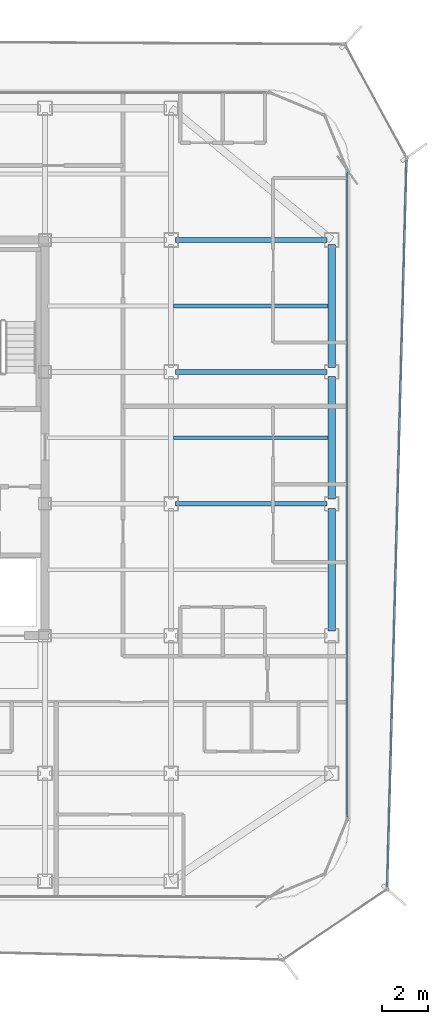
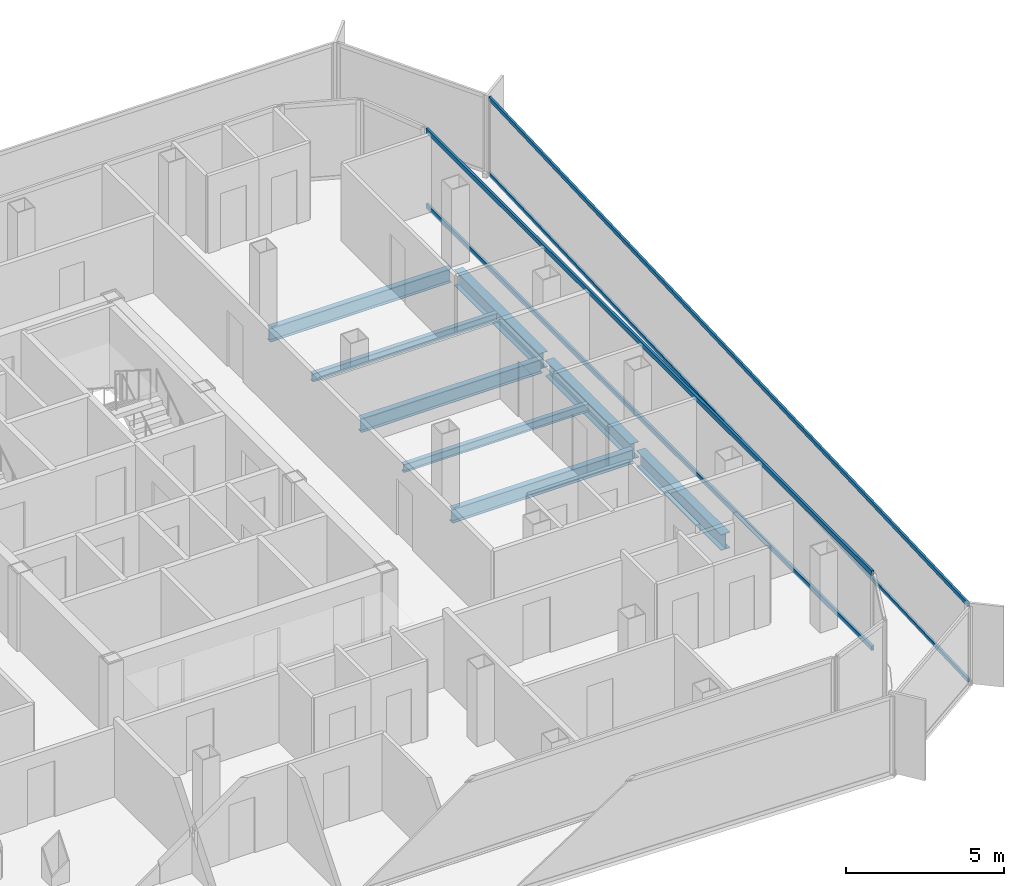
# One storey, part 5 of 15: 8 beams, 4 members, 2 elements without a shape of their own.
"""IFC4 building model written with IfcOpenShell, lengths in metres."""

from ifc_helpers import new_model, si_unit, direction, frame, origin, origin_2d, place, context, subcontext, project, spatial, hollow_rectangle, i_section, extrude, source, transform, mapped, material, layer, layer_set, material_profile, profile_set, type_object, element, aggregate, save


model = new_model("IFC4")

# Units and contexts
model_context = context("Model", 3, precision=1e-05, world=origin(), true_north=direction((0.0, 1.0)))
body_context = subcontext(model_context, "Body", "Model", "MODEL_VIEW")
ifc_project = project(units=[si_unit("LENGTHUNIT", "METRE"), si_unit("AREAUNIT", "SQUARE_METRE"), si_unit("VOLUMEUNIT", "CUBIC_METRE"), si_unit("PLANEANGLEUNIT", "RADIAN"), si_unit("MASSUNIT", "GRAM", prefix="KILO")], contexts=[model_context])

# Site, building, storey
site_placement = place(None, origin())
site = spatial("IfcSite", under=ifc_project, at=site_placement, CompositionType="ELEMENT")
building_placement = place(site_placement, origin())
building = spatial("IfcBuilding", under=site, at=building_placement, Name="Kolveth Station Tower", CompositionType="ELEMENT")
storey_placement = place(building_placement, frame((0.0, 0.0, 252.10009765625)))
storey = spatial("IfcBuildingStorey", under=building, at=storey_placement, Name="L72", CompositionType="ELEMENT", Elevation=252.10009765625)

# Beams
ifc_material_1 = material(Name="Steel S355", Category="steel")
ifc_material_profile_1 = material_profile(ifc_material_1, i_section(OverallWidth=0.323974609375, OverallDepth=0.611083984375, WebThickness=0.0126953125, FlangeThickness=0.01904296875, at=origin_2d()), Name="W610x155")
ifc_profile_set_1 = profile_set([ifc_material_profile_1], Name="Steel S355")
beam_type_1 = type_object("IfcBeamType", Name="Beam_SP2", PredefinedType="SPANDREL", material=ifc_profile_set_1)
shared_shape_1 = source(origin(), body_context, "Body", "SweptSolid", [
    extrude(i_section(OverallWidth=0.323974609375, OverallDepth=0.611083984375, WebThickness=0.0126953125, FlangeThickness=0.01904296875, at=origin_2d()), origin(), (0.0, 0.0, 1.0), 5.35009765625),
])
for number, where, z_axis, x_axis, name in (
    (1, (41.0, 11.699951171875, -0.525634765625), (0.0, 1.0, 0.0), (-1.0, 0.0, 0.0), "L72 Perimeter Spandrel BM-L72-PE-2"),
    (2, (41.0, 17.449951171875, -0.525634765625), (0.0, 1.0, 0.0), (-1.0, 0.0, 0.0), "L72 Perimeter Spandrel BM-L72-PE-3"),
    (3, (41.0, 23.199951171875, -0.525634765625), (0.0, 1.0, 0.0), (-1.0, 0.0, 0.0), "L72 Perimeter Spandrel BM-L72-PE-4"),
):
    element("IfcBeam", number, at=place(storey_placement, frame(where, z_axis=z_axis, x_axis=x_axis)), inside=storey, type_object=beam_type_1, Name=name, PredefinedType="SPANDREL", context=body_context, shape_type="MappedRepresentation", body=[
        mapped(shared_shape_1, transform((0.0, 0.0, 0.0), x_axis=(1.0, 0.0, 0.0), y_axis=(0.0, 1.0, 0.0), z_axis=(0.0, 0.0, 1.0), scale=1.0)),
    ])
ifc_material_profile_2 = material_profile(ifc_material_1, i_section(OverallWidth=0.2099609375, OverallDepth=0.537109375, WebThickness=0.010986328125, FlangeThickness=0.017333984375, at=origin_2d()), Name="W530x101")
ifc_profile_set_2 = profile_set([ifc_material_profile_2], Name="Steel S355")
beam_type_2 = type_object("IfcBeamType", Name="Beam_B6", PredefinedType="BEAM", material=ifc_profile_set_2)
shared_shape_2 = source(origin(), body_context, "Body", "SweptSolid", [
    extrude(i_section(OverallWidth=0.2099609375, OverallDepth=0.537109375, WebThickness=0.010986328125, FlangeThickness=0.017333984375, at=origin_2d()), origin(), (0.0, 0.0, 1.0), 6.60009765625),
])
for number, where, z_axis, x_axis, name in (
    (4, (34.199951171875, 17.25, -0.488525390625), (1.0, 0.0, 0.0), (0.0, 1.0, 0.0), "L72 Primary Girder BM-L72-GY172-5"),
    (5, (34.199951171875, 23.0, -0.488525390625), (1.0, 0.0, 0.0), (0.0, 1.0, 0.0), "L72 Primary Girder BM-L72-GY230-5"),
    (6, (34.199951171875, 28.75, -0.488525390625), (1.0, 0.0, 0.0), (0.0, 1.0, 0.0), "L72 Primary Girder BM-L72-GY287-5"),
):
    element("IfcBeam", number, at=place(storey_placement, frame(where, z_axis=z_axis, x_axis=x_axis)), inside=storey, type_object=beam_type_2, Name=name, PredefinedType="BEAM", context=body_context, shape_type="MappedRepresentation", body=[
        mapped(shared_shape_2, transform((0.0, 0.0, 0.0), x_axis=(1.0, 0.0, 0.0), y_axis=(0.0, 1.0, 0.0), z_axis=(0.0, 0.0, 1.0), scale=1.0)),
    ])
ifc_material_profile_3 = material_profile(ifc_material_1, i_section(OverallWidth=0.1650390625, OverallDepth=0.31005859375, WebThickness=0.005859375, FlangeThickness=0.009765625, at=origin_2d()), Name="W310x39")
ifc_profile_set_3 = profile_set([ifc_material_profile_3], Name="Steel S355")
beam_type_3 = type_object("IfcBeamType", Name="Beam_J3", PredefinedType="JOIST", material=ifc_profile_set_3)
shared_shape_3 = source(origin(), body_context, "Body", "SweptSolid", [
    extrude(i_section(OverallWidth=0.1650390625, OverallDepth=0.31005859375, WebThickness=0.005859375, FlangeThickness=0.009765625, at=origin_2d()), origin(), (0.0, 0.0, 1.0), 6.737060546875),
])
for number, where, z_axis, x_axis, name in (
    (7, (34.10302734375, 20.125, -0.375), (1.0, 0.0, 0.0), (0.0, 1.0, 0.0), "L72 Secondary Joist JST-L72-5-4"),
    (8, (34.10302734375, 25.875, -0.375), (1.0, 0.0, 0.0), (0.0, 1.0, 0.0), "L72 Secondary Joist JST-L72-5-5"),
):
    element("IfcBeam", number, at=place(storey_placement, frame(where, z_axis=z_axis, x_axis=x_axis)), inside=storey, type_object=beam_type_3, Name=name, PredefinedType="JOIST", context=body_context, shape_type="MappedRepresentation", body=[
        mapped(shared_shape_3, transform((0.0, 0.0, 0.0), x_axis=(1.0, 0.0, 0.0), y_axis=(0.0, 1.0, 0.0), z_axis=(0.0, 0.0, 1.0), scale=1.0)),
    ])

# Curtain wall, members
ifc_material_2 = material(Name="Aluminium 6063-T6 and triple low-E dark glass", Category="aluminium")
ifc_layer_1 = layer(ifc_material_2, 0.199951171875)
ifc_layer_set_1 = layer_set([ifc_layer_1], Name="Aluminium 6063-T6 and triple low-E dark glass")
curtain_wall_type_1 = type_object("IfcCurtainWallType", Name="CurtainWall_CW-Z3", PredefinedType="NOTDEFINED", material=ifc_layer_set_1)
curtain_wall_1_placement = place(storey_placement, origin())
curtain_wall_1 = element("IfcCurtainWall", 9, at=curtain_wall_1_placement, inside=storey, type_object=curtain_wall_type_1, Name="L72 Inner Thermal Curtain Wall 3", PredefinedType="NOTDEFINED")
ifc_material_3 = material(Name="Black anodized aluminium 6063-T6", Category="aluminium")
ifc_material_profile_4 = material_profile(ifc_material_3, hollow_rectangle(XDim=0.0849609375, YDim=0.179931640625, WallThickness=0.0048828125, at=origin_2d()), Name="ALU-85x180x5")
ifc_profile_set_4 = profile_set([ifc_material_profile_4], Name="Black anodized aluminium 6063-T6")
member_type_1 = type_object("IfcMemberType", Name="Transom_TR3", PredefinedType="USERDEFINED", material=ifc_profile_set_4)
shared_shape_4 = source(origin(), body_context, "Body", "SweptSolid", [
    extrude(hollow_rectangle(XDim=0.0849609375, YDim=0.179931640625, WallThickness=0.0048828125, at=origin_2d()), origin(), (0.0, 0.0, 1.0), 28.130126953125),
])
member_1_placement = place(storey_placement, frame((41.679931640625, 3.5849609375, 0.04248046875), z_axis=(0.0, 1.0, 0.0), x_axis=(-1.0, 0.0, 0.0)))
member_1 = element("IfcMember", 10, at=member_1_placement, type_object=member_type_1, Name="CW-Z3 transom 1.1", ObjectType="TRANSOM", PredefinedType="USERDEFINED", context=body_context, shape_type="MappedRepresentation", body=[
    mapped(shared_shape_4, transform((0.0, 0.0, 0.0), x_axis=(1.0, 0.0, 0.0), y_axis=(0.0, 1.0, 0.0), z_axis=(0.0, 0.0, 1.0), scale=1.0)),
])
member_2_placement = place(storey_placement, frame((41.679931640625, 3.5849609375, 2.9375), z_axis=(0.0, 1.0, 0.0), x_axis=(-1.0, 0.0, 0.0)))
member_2 = element("IfcMember", 11, at=member_2_placement, type_object=member_type_1, Name="CW-Z3 transom 1.2", ObjectType="TRANSOM", PredefinedType="USERDEFINED", context=body_context, shape_type="MappedRepresentation", body=[
    mapped(shared_shape_4, transform((0.0, 0.0, 0.0), x_axis=(1.0, 0.0, 0.0), y_axis=(0.0, 1.0, 0.0), z_axis=(0.0, 0.0, 1.0), scale=1.0)),
])
aggregate(curtain_wall_1, [member_1, member_2])

ifc_material_4 = material(Name="Black anodized aluminium 6063-T6 and dark solar glass", Category="aluminium")
ifc_layer_2 = layer(ifc_material_4, 0.159912109375)
ifc_layer_set_2 = layer_set([ifc_layer_2], Name="Black anodized aluminium 6063-T6 and dark solar glass")
curtain_wall_type_2 = type_object("IfcCurtainWallType", Name="OUTER SKIN CW-OS", PredefinedType="NOTDEFINED", material=ifc_layer_set_2)
curtain_wall_2_placement = place(storey_placement, origin())
curtain_wall_2 = element("IfcCurtainWall", 12, at=curtain_wall_2_placement, inside=storey, type_object=curtain_wall_type_2, Name="L72 Outer Ventilated Skin Curtain Wall 2", PredefinedType="NOTDEFINED")
ifc_material_profile_5 = material_profile(ifc_material_3, hollow_rectangle(XDim=0.080078125, YDim=0.14990234375, WallThickness=0.0048828125, at=origin_2d()), Name="ALU-80x150x5")
ifc_profile_set_5 = profile_set([ifc_material_profile_5], Name="Black anodized aluminium 6063-T6")
member_type_2 = type_object("IfcMemberType", Name="Transom_TR-OS", PredefinedType="USERDEFINED", material=ifc_profile_set_5)
shared_shape_5 = source(origin(), body_context, "Body", "SweptSolid", [
    extrude(hollow_rectangle(XDim=0.080078125, YDim=0.14990234375, WallThickness=0.0048828125, at=origin_2d()), origin(), (0.0, 0.0, 1.0), 31.720703125),
])
member_3_placement = place(storey_placement, frame((43.421630859375, 0.536865234375, 0.039794921875), z_axis=(0.026560897409, 0.999647197129, 0.0), x_axis=(-0.999647197129, 0.026560897409, 0.0)))
member_3 = element("IfcMember", 13, at=member_3_placement, type_object=member_type_2, Name="CW-OS transom 1.1", ObjectType="TRANSOM", PredefinedType="USERDEFINED", context=body_context, shape_type="MappedRepresentation", body=[
    mapped(shared_shape_5, transform((0.0, 0.0, 0.0), x_axis=(1.0, 0.0, 0.0), y_axis=(0.0, 1.0, 0.0), z_axis=(0.0, 0.0, 1.0), scale=1.0)),
])
member_4_placement = place(storey_placement, frame((43.421630859375, 0.536865234375, 2.949951171875), z_axis=(0.026560897409, 0.999647197129, 0.0), x_axis=(-0.999647197129, 0.026560897409, 0.0)))
member_4 = element("IfcMember", 14, at=member_4_placement, type_object=member_type_2, Name="CW-OS transom 1.2", ObjectType="TRANSOM", PredefinedType="USERDEFINED", context=body_context, shape_type="MappedRepresentation", body=[
    mapped(shared_shape_5, transform((0.0, 0.0, 0.0), x_axis=(1.0, 0.0, 0.0), y_axis=(0.0, 1.0, 0.0), z_axis=(0.0, 0.0, 1.0), scale=1.0)),
])
aggregate(curtain_wall_2, [member_3, member_4])

save(model, "model.ifc")
